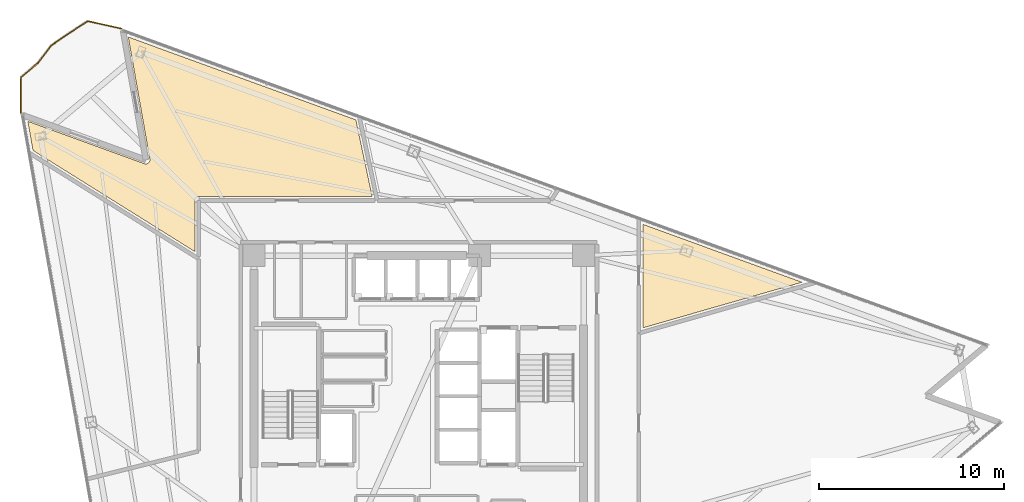
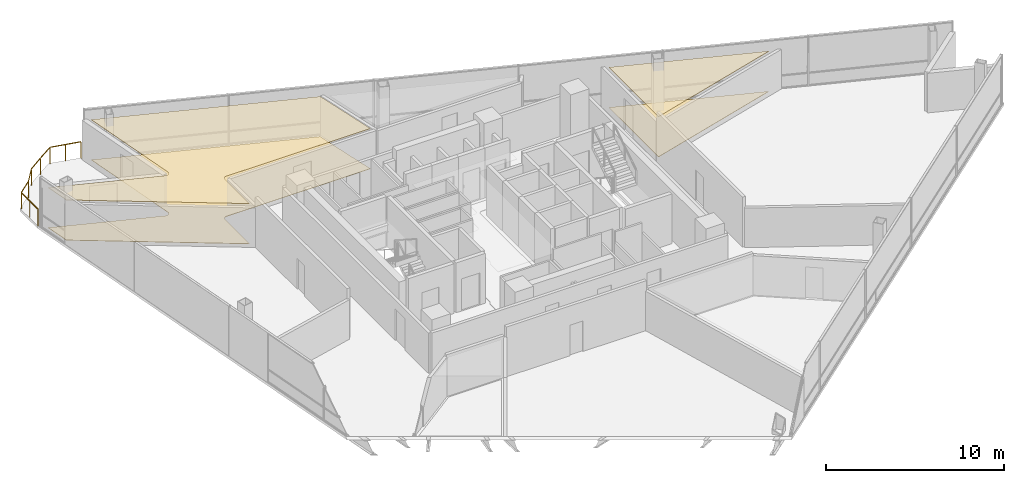
# One storey, part 15 of 15: 4 coverings, 1 railing.
"""IFC4 building model written with IfcOpenShell, lengths in metres."""

from ifc_helpers import new_model, si_unit, direction, frame, origin, origin_2d, place, context, subcontext, project, spatial, polyline, rectangle, outline, extrude, material, layer, layer_set, type_object, element, save


model = new_model("IFC4")

# Units and contexts
model_context = context("Model", 3, precision=1e-05, world=origin(), true_north=direction((0.0, 1.0)))
body_context = subcontext(model_context, "Body", "Model", "MODEL_VIEW")
ifc_project = project(units=[si_unit("LENGTHUNIT", "METRE"), si_unit("AREAUNIT", "SQUARE_METRE"), si_unit("VOLUMEUNIT", "CUBIC_METRE"), si_unit("PLANEANGLEUNIT", "RADIAN"), si_unit("MASSUNIT", "GRAM", prefix="KILO")], contexts=[model_context])

# Site, building, storey
site_placement = place(None, origin())
site = spatial("IfcSite", under=ifc_project, at=site_placement, CompositionType="ELEMENT")
building_placement = place(site_placement, origin())
building = spatial("IfcBuilding", under=site, at=building_placement, Name="Tharavind Bronze Gate", CompositionType="ELEMENT")
storey_placement = place(building_placement, frame((0.0, 0.0, 174.10009765625)))
storey = spatial("IfcBuildingStorey", under=building, at=storey_placement, Name="L44", CompositionType="ELEMENT", Elevation=174.10009765625)

# Coverings
ifc_material_1 = material(Name="Perforated Bronze Acoustic Panel", Category="bronze")
ifc_layer_1 = layer(ifc_material_1, 0.044921875)
ifc_layer_set_1 = layer_set([ifc_layer_1], Name="Perforated Bronze Acoustic Panel")
covering_type_1 = type_object("IfcCoveringType", Name="ACOUSTIC BRONZE BAFFLE CEILING", PredefinedType="CEILING", material=ifc_layer_set_1)
covering_1_placement = place(storey_placement, frame((0.0, 0.0, 2.75)))
element("IfcCovering", 1, at=covering_1_placement, inside=storey, type_object=covering_type_1, Name="L44-RM-03 suspended ceiling", PredefinedType="CEILING", context=body_context, shape_type="SweptSolid", body=[
    extrude(outline(polyline([(-20.8359375, 13.279296875), (-12.10009765625, 7.8203125), (-12.10009765625, 10.579345703125), (-12.099609375, 10.590087890625), (-12.099609375, 10.5908203125), (-12.09765625, 10.6123046875), (-12.093505859375, 10.63330078125), (-12.087158203125, 10.654052734375), (-12.078857421875, 10.674072265625), (-12.068603515625, 10.693115234375), (-12.056640625, 10.7109375), (-12.04296875, 10.727783203125), (-12.027587890625, 10.742919921875), (-12.010986328125, 10.756591796875), (-11.9931640625, 10.768798828125), (-11.97412109375, 10.77880859375), (-11.9541015625, 10.787109375), (-11.933349609375, 10.79345703125), (-11.912353515625, 10.797607421875), (-11.890869140625, 10.7998046875), (-11.89013671875, 10.7998046875), (-11.87939453125, 10.800048828125), (-2.5205078125, 10.800048828125), (-3.39892578125, 14.9326171875), (-15.690185546875, 19.40625), (-14.527099609375, 12.8095703125), (-14.525390625, 12.798828125), (-14.525390625, 12.798095703125), (-14.523681640625, 12.7763671875), (-14.5244140625, 12.75439453125), (-14.527099609375, 12.732666015625), (-14.531982421875, 12.711181640625), (-14.538818359375, 12.6904296875), (-14.5478515625, 12.67041015625), (-14.558837890625, 12.651611328125), (-14.571533203125, 12.6337890625), (-14.586181640625, 12.6171875), (-14.602294921875, 12.602294921875), (-14.61962890625, 12.589111328125), (-14.638427734375, 12.57763671875), (-14.658203125, 12.568115234375), (-14.6787109375, 12.560546875), (-14.699951171875, 12.55517578125), (-14.7216796875, 12.552001953125), (-14.74365234375, 12.55078125), (-14.765380859375, 12.552001953125), (-14.787109375, 12.55517578125), (-14.80859375, 12.560546875), (-14.80908203125, 12.560791015625), (-14.8193359375, 12.564208984375), (-21.114013671875, 14.855224609375), (-20.8359375, 13.279296875)])), origin(), (0.0, 0.0, 1.0), 0.034912109375),
])
ifc_material_2 = material(Name="Engineered Oak & Carpet Tile", Category="wood")
ifc_layer_2 = layer(ifc_material_2, 0.02490234375)
ifc_layer_set_2 = layer_set([ifc_layer_2], Name="Engineered Oak & Carpet Tile")
covering_type_2 = type_object("IfcCoveringType", Name="ENGINEERED TIMBER FLOORING", PredefinedType="FLOORING", material=ifc_layer_set_2)
covering_2_placement = place(storey_placement, origin())
element("IfcCovering", 2, at=covering_2_placement, inside=storey, type_object=covering_type_2, Name="L44-RM-01 floor finish", PredefinedType="FLOORING", context=body_context, shape_type="SweptSolid", body=[
    extrude(outline(polyline([(12.10009765625, 3.698486328125), (20.695068359375, 6.1630859375), (12.10009765625, 9.29150390625), (12.10009765625, 3.698486328125)])), origin(), (0.0, 0.0, 1.0), 0.02490234375),
])
covering_3_placement = place(storey_placement, origin())
element("IfcCovering", 3, at=covering_3_placement, inside=storey, type_object=covering_type_2, Name="L44-RM-03 floor finish", PredefinedType="FLOORING", context=body_context, shape_type="SweptSolid", body=[
    extrude(outline(polyline([(-20.8359375, 13.279296875), (-12.10009765625, 7.8203125), (-12.10009765625, 10.579345703125), (-12.099609375, 10.590087890625), (-12.099609375, 10.5908203125), (-12.09765625, 10.6123046875), (-12.093505859375, 10.63330078125), (-12.087158203125, 10.654052734375), (-12.078857421875, 10.674072265625), (-12.068603515625, 10.693115234375), (-12.056640625, 10.7109375), (-12.04296875, 10.727783203125), (-12.027587890625, 10.742919921875), (-12.010986328125, 10.756591796875), (-11.9931640625, 10.768798828125), (-11.97412109375, 10.77880859375), (-11.9541015625, 10.787109375), (-11.933349609375, 10.79345703125), (-11.912353515625, 10.797607421875), (-11.890869140625, 10.7998046875), (-11.89013671875, 10.7998046875), (-11.87939453125, 10.800048828125), (-2.5205078125, 10.800048828125), (-3.39892578125, 14.9326171875), (-15.690185546875, 19.40625), (-14.527099609375, 12.8095703125), (-14.525390625, 12.798828125), (-14.525390625, 12.798095703125), (-14.523681640625, 12.7763671875), (-14.5244140625, 12.75439453125), (-14.527099609375, 12.732666015625), (-14.531982421875, 12.711181640625), (-14.538818359375, 12.6904296875), (-14.5478515625, 12.67041015625), (-14.558837890625, 12.651611328125), (-14.571533203125, 12.6337890625), (-14.586181640625, 12.6171875), (-14.602294921875, 12.602294921875), (-14.61962890625, 12.589111328125), (-14.638427734375, 12.57763671875), (-14.658203125, 12.568115234375), (-14.6787109375, 12.560546875), (-14.699951171875, 12.55517578125), (-14.7216796875, 12.552001953125), (-14.74365234375, 12.55078125), (-14.765380859375, 12.552001953125), (-14.787109375, 12.55517578125), (-14.80859375, 12.560546875), (-14.80908203125, 12.560791015625), (-14.8193359375, 12.564208984375), (-21.114013671875, 14.855224609375), (-20.8359375, 13.279296875)])), origin(), (0.0, 0.0, 1.0), 0.02490234375),
])
ifc_material_3 = material(Name="Acoustic Gypsum Board", Category="gypsum")
ifc_layer_3 = layer(ifc_material_3, 0.030029296875)
ifc_layer_set_3 = layer_set([ifc_layer_3], Name="Acoustic Gypsum Board")
covering_type_3 = type_object("IfcCoveringType", Name="GYPSUM SUSPENDED CEILING", PredefinedType="CEILING", material=ifc_layer_set_3)
covering_4_placement = place(storey_placement, frame((0.0, 0.0, 2.75)))
element("IfcCovering", 4, at=covering_4_placement, inside=storey, type_object=covering_type_3, Name="L44-RM-01 suspended ceiling", PredefinedType="CEILING", context=body_context, shape_type="SweptSolid", body=[
    extrude(outline(polyline([(12.10009765625, 3.698486328125), (20.695068359375, 6.1630859375), (12.10009765625, 9.29150390625), (12.10009765625, 3.698486328125)])), origin(), (0.0, 0.0, 1.0), 0.034912109375),
])

# Railing
ifc_material_4 = material(Name="Bronze Cap & Laminated Glass", Category="glass")
railing_type = type_object("IfcRailingType", Name="TERRACE GLASS GUARD RAILING 1150", PredefinedType="GUARDRAIL", material=ifc_material_4)
railing_placement = place(storey_placement, frame((-21.49951171875, 15.31494140625, 0.0)))
element("IfcRailing", 5, at=railing_placement, inside=storey, type_object=railing_type, Name="L44 tree balcony guard railing", PredefinedType="GUARDRAIL", context=body_context, shape_type="SweptSolid", body=[
    extrude(rectangle(XDim=0.048095703125, YDim=0.048095703125, at=origin_2d()), frame((0.000244140625, 0.031982421875, 1.1259765625), z_axis=(0.006244302881, 0.999980504151, 0.0), x_axis=(-0.999980504151, 0.006244302881, 0.0)), (0.0, 0.0, 1.0), 1.851806640625),
    extrude(rectangle(XDim=0.048095703125, YDim=0.048095703125, at=origin_2d()), frame((0.036376953125, 1.936279296875, 1.1259765625), z_axis=(0.765977892633, 0.642866913131, 0.0), x_axis=(-0.642866913131, 0.765977892633, 0.0)), (0.0, 0.0, 1.0), 1.115966796875),
    extrude(rectangle(XDim=0.048095703125, YDim=0.048095703125, at=origin_2d()), frame((0.935302734375, 2.69970703125, 1.1259765625), z_axis=(0.609749815727, 0.79259394536, 0.0), x_axis=(-0.79259394536, 0.609749815727, 0.0)), (0.0, 0.0, 1.0), 1.144287109375),
    extrude(rectangle(XDim=0.048095703125, YDim=0.048095703125, at=origin_2d()), frame((1.678955078125, 3.650146484375, 1.1259765625), z_axis=(0.823524708497, 0.567280402001, 0.0), x_axis=(-0.567280402001, 0.823524708497, 0.0)), (0.0, 0.0, 1.0), 1.121337890625),
    extrude(rectangle(XDim=0.048095703125, YDim=0.048095703125, at=origin_2d()), frame((2.655517578125, 4.32177734375, 1.1259765625), z_axis=(0.840015987987, 0.5425616462, 0.0), x_axis=(-0.5425616462, 0.840015987987, 0.0)), (0.0, 0.0, 1.0), 1.125244140625),
    extrude(rectangle(XDim=0.048095703125, YDim=0.048095703125, at=origin_2d()), frame((3.658935546875, 4.94287109375, 1.1259765625), z_axis=(0.976205791901, -0.216846147902, 0.0), x_axis=(0.216846147902, 0.976205791901, 0.0)), (0.0, 0.0, 1.0), 1.775634765625),
    extrude(rectangle(XDim=0.0400390625, YDim=0.0400390625, at=origin_2d()), origin(), (0.0, 0.0, 1.0), 1.097900390625),
    extrude(rectangle(XDim=0.0400390625, YDim=0.0400390625, at=origin_2d()), frame((0.005859375, 0.9580078125, 0.0)), (0.0, 0.0, 1.0), 1.097900390625),
    extrude(rectangle(XDim=0.0400390625, YDim=0.0400390625, at=origin_2d()), frame((0.011962890625, 1.915771484375, 0.0)), (0.0, 0.0, 1.0), 1.097900390625),
    extrude(rectangle(XDim=0.0400390625, YDim=0.0400390625, at=origin_2d()), frame((0.915771484375, 2.67431640625, 0.0)), (0.0, 0.0, 1.0), 1.097900390625),
    extrude(rectangle(XDim=0.0400390625, YDim=0.0400390625, at=origin_2d()), frame((1.652587890625, 3.632080078125, 0.0)), (0.0, 0.0, 1.0), 1.097900390625),
    extrude(rectangle(XDim=0.0400390625, YDim=0.0400390625, at=origin_2d()), frame((2.628662109375, 4.304443359375, 0.0)), (0.0, 0.0, 1.0), 1.097900390625),
    extrude(rectangle(XDim=0.0400390625, YDim=0.0400390625, at=origin_2d()), frame((3.627685546875, 4.94970703125, 0.0)), (0.0, 0.0, 1.0), 1.097900390625),
    extrude(rectangle(XDim=0.0400390625, YDim=0.0400390625, at=origin_2d()), frame((4.525634765625, 4.750244140625, 0.0)), (0.0, 0.0, 1.0), 1.097900390625),
    extrude(rectangle(XDim=0.0400390625, YDim=0.0400390625, at=origin_2d()), frame((5.423583984375, 4.55078125, 0.0)), (0.0, 0.0, 1.0), 1.097900390625),
])

save(model, "model.ifc")
